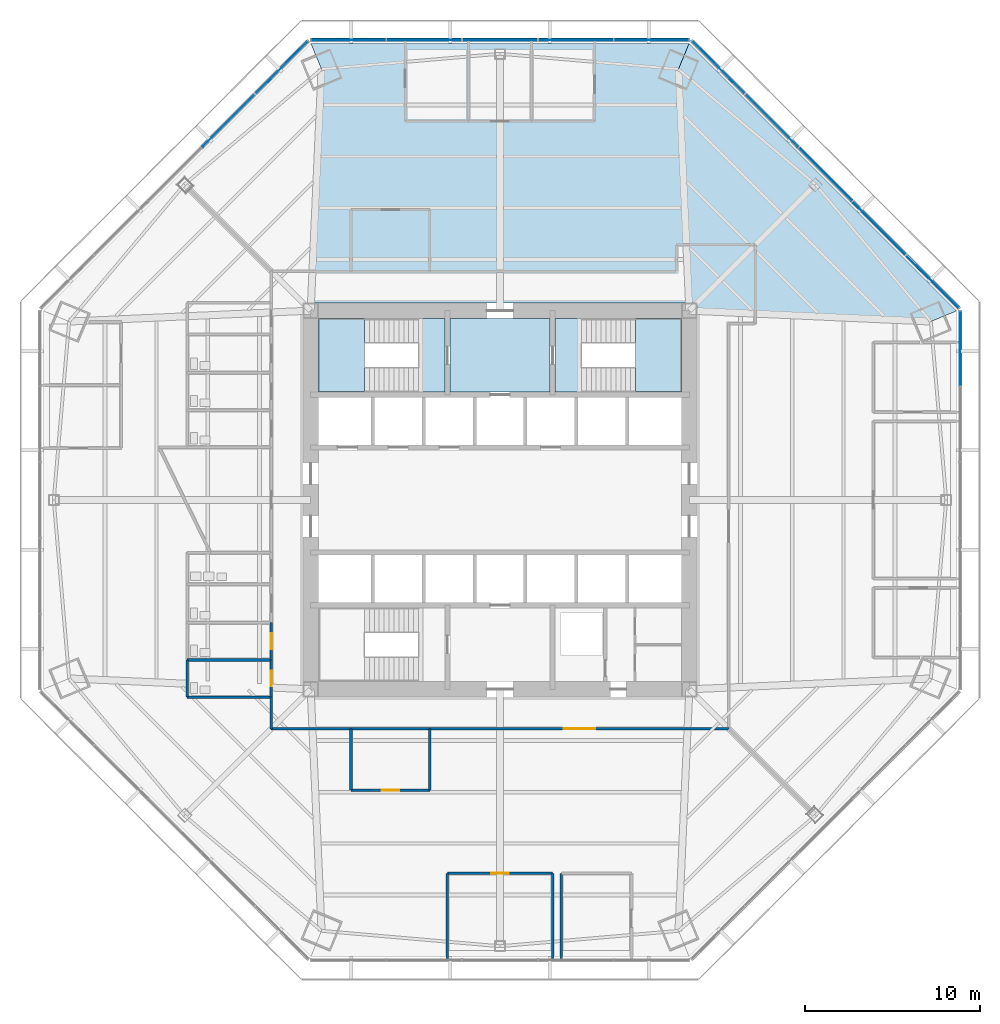
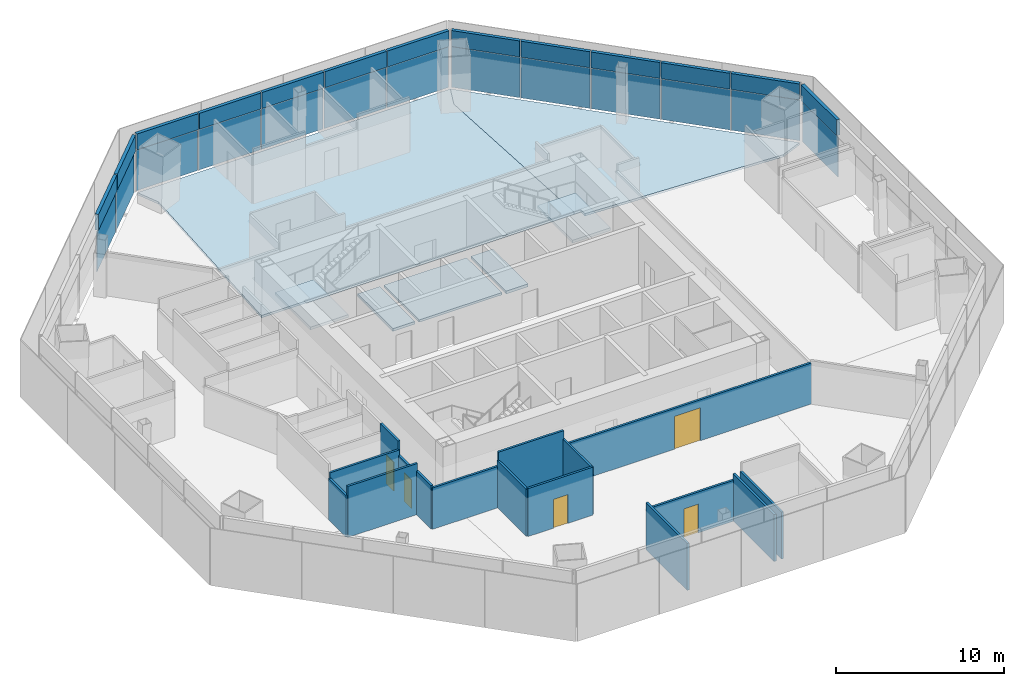
# One storey, part 8 of 15: 26 plates, 16 walls, 7 slabs, 5 doors, 5 openings, 6 elements without a shape of their own.
"""IFC4 building model written with IfcOpenShell, lengths in metres."""

from ifc_helpers import new_model, si_unit, direction, frame, frame_2d, origin, origin_2d, place, context, subcontext, project, spatial, polyline, rectangle, outline, extrude, source, transform, mapped, material, layer, layer_set, type_object, type_shapes, element, fill, aggregate, save


model = new_model("IFC4")

# Units and contexts
model_context = context("Model", 3, precision=1e-05, world=origin(), true_north=direction((0.0, 1.0)))
body_context = subcontext(model_context, "Body", "Model", "MODEL_VIEW")
ifc_project = project(units=[si_unit("LENGTHUNIT", "METRE"), si_unit("AREAUNIT", "SQUARE_METRE"), si_unit("VOLUMEUNIT", "CUBIC_METRE"), si_unit("PLANEANGLEUNIT", "RADIAN"), si_unit("MASSUNIT", "GRAM", prefix="KILO")], contexts=[model_context])

# Site, building, storey
site_placement = place(None, origin())
site = spatial("IfcSite", under=ifc_project, at=site_placement, CompositionType="ELEMENT")
building_placement = place(site_placement, origin())
building = spatial("IfcBuilding", under=site, at=building_placement, Name="Mashrafa Tower", CompositionType="ELEMENT")
storey_placement = place(building_placement, frame((0.0, 0.0, 62.39990234375)))
storey = spatial("IfcBuildingStorey", under=building, at=storey_placement, Name="L13", CompositionType="ELEMENT", Elevation=62.39990234375)

# Slabs
ifc_material_1 = material(Name="Concrete C35/45", Category="concrete")
ifc_layer_1 = layer(ifc_material_1, 0.1650390625)
ifc_layer_set_1 = layer_set([ifc_layer_1], Name="Floor slab 165")
slab_type_1 = type_object("IfcSlabType", Name="Floor slab 165", PredefinedType="FLOOR", material=ifc_layer_set_1)
slab_1_placement = place(storey_placement, frame((0.0, 0.0, -0.164794921875)))
element("IfcSlab", 1, at=slab_1_placement, inside=storey, type_object=slab_type_1, Name="Floor slab L13 north-east bay", PredefinedType="FLOOR", context=body_context, shape_type="SweptSolid", body=[
    extrude(outline(polyline([(10.7900390625, 26.049560546875), (26.049560546875, 10.7900390625), (26.049560546875, 10.7900390625), (24.575927734375, 10.1796875), (11.25, 10.77978515625), (11.25, 11.25), (10.77978515625, 11.25), (10.1796875, 24.575927734375), (10.7900390625, 26.049560546875), (10.7900390625, 26.049560546875)])), origin(), (0.0, 0.0, 1.0), 0.164794921875),
])
slab_2_placement = place(storey_placement, frame((0.0, 0.0, -0.164794921875)))
element("IfcSlab", 2, at=slab_2_placement, inside=storey, type_object=slab_type_1, Name="Floor slab L13 north bay", PredefinedType="FLOOR", context=body_context, shape_type="SweptSolid", body=[
    extrude(outline(polyline([(10.7900390625, 26.049560546875), (10.1796875, 24.575927734375), (10.77978515625, 11.25), (-10.77978515625, 11.25), (-10.1796875, 24.575927734375), (-10.7900390625, 26.049560546875), (10.7900390625, 26.049560546875)])), origin(), (0.0, 0.0, 1.0), 0.164794921875),
])
slab_3_placement = place(storey_placement, frame((0.0, 0.0, -0.164794921875)))
element("IfcSlab", 3, at=slab_3_placement, inside=storey, type_object=slab_type_1, Name="Core floor fire-fighting lobby north L13", PredefinedType="FLOOR", context=body_context, shape_type="SweptSolid", body=[
    extrude(outline(polyline([(-2.85009765625, 10.35009765625), (2.85009765625, 10.35009765625), (2.85009765625, 6.14990234375), (-2.85009765625, 6.14990234375), (-2.85009765625, 10.35009765625)])), origin(), (0.0, 0.0, 1.0), 0.164794921875),
])

# Stair, slabs
ifc_material_2 = material(Name="Exit stair 1400")
stair_type = type_object("IfcStairType", Name="Exit stair 1400", PredefinedType="HALF_TURN_STAIR", material=ifc_material_2)
stair_1_placement = place(storey_placement, origin())
stair_1 = element("IfcStair", 4, at=stair_1_placement, inside=storey, type_object=stair_type, Name="Stair S1 L13", PredefinedType="HALF_TURN_STAIR")
ifc_material_3 = material(Name="Concrete C32/40", Category="concrete")
ifc_layer_2 = layer(ifc_material_3, 0.199951171875)
ifc_layer_set_2 = layer_set([ifc_layer_2], Name="Stair landing 200")
slab_type_2 = type_object("IfcSlabType", Name="Stair landing 200", PredefinedType="LANDING", material=ifc_layer_set_2)
slab_4_placement = place(storey_placement, frame((0.0, 0.0, -0.199951171875)))
slab_4 = element("IfcSlab", 5, at=slab_4_placement, type_object=slab_type_2, Name="S1 landing 1", PredefinedType="LANDING", context=body_context, shape_type="SweptSolid", body=[
    extrude(outline(polyline([(-4.659912109375, 6.14990234375), (-3.14990234375, 6.14990234375), (-3.14990234375, 10.35009765625), (-4.659912109375, 10.35009765625), (-4.659912109375, 6.14990234375)])), origin(), (0.0, 0.0, 1.0), 0.199951171875),
])
slab_5_placement = place(storey_placement, frame((0.0, 0.0, 1.900146484375)))
slab_5 = element("IfcSlab", 6, at=slab_5_placement, type_object=slab_type_2, Name="S1 landing 2", PredefinedType="LANDING", context=body_context, shape_type="SweptSolid", body=[
    extrude(outline(polyline([(-10.35009765625, 6.14990234375), (-7.719970703125, 6.14990234375), (-7.719970703125, 10.35009765625), (-10.35009765625, 10.35009765625), (-10.35009765625, 6.14990234375)])), origin(), (0.0, 0.0, 1.0), 0.199951171875),
])
aggregate(stair_1, [slab_4, slab_5])

stair_2_placement = place(storey_placement, origin())
stair_2 = element("IfcStair", 7, at=stair_2_placement, inside=storey, type_object=stair_type, Name="Stair S2 L13", PredefinedType="HALF_TURN_STAIR")
slab_6_placement = place(storey_placement, frame((0.0, 0.0, -0.199951171875)))
slab_6 = element("IfcSlab", 8, at=slab_6_placement, type_object=slab_type_2, Name="S2 landing 1", PredefinedType="LANDING", context=body_context, shape_type="SweptSolid", body=[
    extrude(outline(polyline([(3.14990234375, 6.14990234375), (4.659912109375, 6.14990234375), (4.659912109375, 10.35009765625), (3.14990234375, 10.35009765625), (3.14990234375, 6.14990234375)])), origin(), (0.0, 0.0, 1.0), 0.199951171875),
])
slab_7_placement = place(storey_placement, frame((0.0, 0.0, 1.900146484375)))
slab_7 = element("IfcSlab", 9, at=slab_7_placement, type_object=slab_type_2, Name="S2 landing 2", PredefinedType="LANDING", context=body_context, shape_type="SweptSolid", body=[
    extrude(outline(polyline([(7.719970703125, 6.14990234375), (10.35009765625, 6.14990234375), (10.35009765625, 10.35009765625), (7.719970703125, 10.35009765625), (7.719970703125, 6.14990234375)])), origin(), (0.0, 0.0, 1.0), 0.199951171875),
])
aggregate(stair_2, [slab_6, slab_7])

# Curtain wall, plate
ifc_material_4 = material(Name="Unitised aluminium curtain wall", Category="aluminium")
curtain_wall_type = type_object("IfcCurtainWallType", Name="Office curtain wall, zone 1 CW-A 200 deep", PredefinedType="NOTDEFINED", material=ifc_material_4)
curtain_wall_1_placement = place(storey_placement, origin())
curtain_wall_1 = element("IfcCurtainWall", 10, at=curtain_wall_1_placement, inside=storey, type_object=curtain_wall_type, Name="Office curtain wall, zone 1 L13 east", PredefinedType="NOTDEFINED")
ifc_material_5 = material(Name="Insulated double glazing, low-e, neutral", Category="glass")
ifc_layer_3 = layer(ifc_material_5, 0.028076171875)
ifc_layer_set_3 = layer_set([ifc_layer_3], Name="Vision panel CW-A 28")
plate_type_1 = type_object("IfcPlateType", Name="Vision panel CW-A 28", PredefinedType="CURTAIN_PANEL", material=ifc_layer_set_3)
shared_shape_1 = source(origin(), body_context, "Body", "SweptSolid", [
    extrude(rectangle(XDim=4.231201171875, YDim=0.028076171875, at=origin_2d()), origin(), (0.0, 0.0, 1.0), 2.9599609375),
])
plate_1_placement = place(storey_placement, frame((26.24951171875, 8.640869140625, 0.0), z_axis=(0.0, 0.0, 1.0), x_axis=(0.0, 1.0, 0.0)))
plate_1 = element("IfcPlate", 11, at=plate_1_placement, type_object=plate_type_1, Name="CW-A vision panel 5", PredefinedType="CURTAIN_PANEL", context=body_context, shape_type="MappedRepresentation", body=[
    mapped(shared_shape_1, transform((0.0, 0.0, 0.0))),
])

# Curtain wall, plates
curtain_wall_2_placement = place(storey_placement, origin())
curtain_wall_2 = element("IfcCurtainWall", 12, at=curtain_wall_2_placement, inside=storey, type_object=curtain_wall_type, Name="Office curtain wall, zone 1 L13 north-east", PredefinedType="NOTDEFINED")
plate_2_placement = place(storey_placement, frame((24.67138671875, 12.451171875, 0.0), z_axis=(0.0, 0.0, 1.0), x_axis=(-0.707106781187, 0.707106781187, 0.0)))
plate_2 = element("IfcPlate", 13, at=plate_2_placement, type_object=plate_type_1, Name="CW-A vision panel 1", PredefinedType="CURTAIN_PANEL", context=body_context, shape_type="MappedRepresentation", body=[
    mapped(shared_shape_1, transform((0.0, 0.0, 0.0))),
])
plate_3_placement = place(storey_placement, frame((12.451171875, 24.67138671875, 0.0), z_axis=(0.0, 0.0, 1.0), x_axis=(-0.707106781187, 0.707106781187, 0.0)))
plate_3 = element("IfcPlate", 14, at=plate_3_placement, type_object=plate_type_1, Name="CW-A vision panel 5", PredefinedType="CURTAIN_PANEL", context=body_context, shape_type="MappedRepresentation", body=[
    mapped(shared_shape_1, transform((0.0, 0.0, 0.0))),
])

curtain_wall_3_placement = place(storey_placement, origin())
curtain_wall_3 = element("IfcCurtainWall", 15, at=curtain_wall_3_placement, inside=storey, type_object=curtain_wall_type, Name="Office curtain wall, zone 1 L13 north", PredefinedType="NOTDEFINED")
plate_4_placement = place(storey_placement, frame((8.640869140625, 26.24951171875, 0.0), z_axis=(0.0, 0.0, 1.0), x_axis=(-1.0, 0.0, 0.0)))
plate_4 = element("IfcPlate", 16, at=plate_4_placement, type_object=plate_type_1, Name="CW-A vision panel 1", PredefinedType="CURTAIN_PANEL", context=body_context, shape_type="MappedRepresentation", body=[
    mapped(shared_shape_1, transform((0.0, 0.0, 0.0))),
])
plate_5_placement = place(storey_placement, frame((-8.640869140625, 26.24951171875, 0.0), z_axis=(0.0, 0.0, 1.0), x_axis=(-1.0, 0.0, 0.0)))
plate_5 = element("IfcPlate", 17, at=plate_5_placement, type_object=plate_type_1, Name="CW-A vision panel 5", PredefinedType="CURTAIN_PANEL", context=body_context, shape_type="MappedRepresentation", body=[
    mapped(shared_shape_1, transform((0.0, 0.0, 0.0))),
])

# Curtain wall, plate
curtain_wall_4_placement = place(storey_placement, origin())
curtain_wall_4 = element("IfcCurtainWall", 18, at=curtain_wall_4_placement, inside=storey, type_object=curtain_wall_type, Name="Office curtain wall, zone 1 L13 north-west", PredefinedType="NOTDEFINED")
plate_6_placement = place(storey_placement, frame((-12.451171875, 24.67138671875, 0.0), z_axis=(0.0, 0.0, 1.0), x_axis=(-0.707106781187, -0.707106781187, 0.0)))
plate_6 = element("IfcPlate", 19, at=plate_6_placement, type_object=plate_type_1, Name="CW-A vision panel 1", PredefinedType="CURTAIN_PANEL", context=body_context, shape_type="MappedRepresentation", body=[
    mapped(shared_shape_1, transform((0.0, 0.0, 0.0))),
])

# Plate
ifc_material_6 = material(Name="Insulated aluminium spandrel panel", Category="aluminium")
ifc_layer_4 = layer(ifc_material_6, 0.219970703125)
ifc_layer_set_4 = layer_set([ifc_layer_4], Name="Spandrel panel CW-A 220")
plate_type_2 = type_object("IfcPlateType", Name="Spandrel panel CW-A 220", PredefinedType="CURTAIN_PANEL", material=ifc_layer_set_4)
shared_shape_2 = source(origin(), body_context, "Body", "SweptSolid", [
    extrude(rectangle(XDim=4.231201171875, YDim=0.219970703125, at=origin_2d()), origin(), (0.0, 0.0, 1.0), 1.159912109375),
])
plate_7_placement = place(storey_placement, frame((26.24951171875, 8.640869140625, 3.0400390625), z_axis=(0.0, 0.0, 1.0), x_axis=(0.0, 1.0, 0.0)))
plate_7 = element("IfcPlate", 20, at=plate_7_placement, type_object=plate_type_2, Name="CW-A spandrel panel 5", PredefinedType="CURTAIN_PANEL", context=body_context, shape_type="MappedRepresentation", body=[
    mapped(shared_shape_2, transform((0.0, 0.0, 0.0))),
])

aggregate(curtain_wall_1, [plate_1, plate_7])

plate_8_placement = place(storey_placement, frame((24.67138671875, 12.451171875, 3.0400390625), z_axis=(0.0, 0.0, 1.0), x_axis=(-0.707106781187, 0.707106781187, 0.0)))
plate_8 = element("IfcPlate", 21, at=plate_8_placement, type_object=plate_type_2, Name="CW-A spandrel panel 1", PredefinedType="CURTAIN_PANEL", context=body_context, shape_type="MappedRepresentation", body=[
    mapped(shared_shape_2, transform((0.0, 0.0, 0.0))),
])

plate_9_placement = place(storey_placement, frame((12.451171875, 24.67138671875, 3.0400390625), z_axis=(0.0, 0.0, 1.0), x_axis=(-0.707106781187, 0.707106781187, 0.0)))
plate_9 = element("IfcPlate", 22, at=plate_9_placement, type_object=plate_type_2, Name="CW-A spandrel panel 5", PredefinedType="CURTAIN_PANEL", context=body_context, shape_type="MappedRepresentation", body=[
    mapped(shared_shape_2, transform((0.0, 0.0, 0.0))),
])

plate_10_placement = place(storey_placement, frame((8.640869140625, 26.24951171875, 3.0400390625), z_axis=(0.0, 0.0, 1.0), x_axis=(-1.0, 0.0, 0.0)))
plate_10 = element("IfcPlate", 23, at=plate_10_placement, type_object=plate_type_2, Name="CW-A spandrel panel 1", PredefinedType="CURTAIN_PANEL", context=body_context, shape_type="MappedRepresentation", body=[
    mapped(shared_shape_2, transform((0.0, 0.0, 0.0))),
])

plate_11_placement = place(storey_placement, frame((-8.640869140625, 26.24951171875, 3.0400390625), z_axis=(0.0, 0.0, 1.0), x_axis=(-1.0, 0.0, 0.0)))
plate_11 = element("IfcPlate", 24, at=plate_11_placement, type_object=plate_type_2, Name="CW-A spandrel panel 5", PredefinedType="CURTAIN_PANEL", context=body_context, shape_type="MappedRepresentation", body=[
    mapped(shared_shape_2, transform((0.0, 0.0, 0.0))),
])

plate_12_placement = place(storey_placement, frame((-12.451171875, 24.67138671875, 3.0400390625), z_axis=(0.0, 0.0, 1.0), x_axis=(-0.707106781187, -0.707106781187, 0.0)))
plate_12 = element("IfcPlate", 25, at=plate_12_placement, type_object=plate_type_2, Name="CW-A spandrel panel 1", PredefinedType="CURTAIN_PANEL", context=body_context, shape_type="MappedRepresentation", body=[
    mapped(shared_shape_2, transform((0.0, 0.0, 0.0))),
])

shared_shape_3 = source(origin(), body_context, "Body", "SweptSolid", [
    extrude(rectangle(XDim=4.263671875, YDim=0.028076171875, at=origin_2d()), origin(), (0.0, 0.0, 1.0), 2.9599609375),
])
type_shapes(plate_type_1, [shared_shape_1, shared_shape_3])
plate_13_placement = place(storey_placement, frame((21.6220703125, 15.50048828125, 0.0), z_axis=(0.0, 0.0, 1.0), x_axis=(-0.707106781187, 0.707106781187, 0.0)))
plate_13 = element("IfcPlate", 26, at=plate_13_placement, type_object=plate_type_1, Name="CW-A vision panel 2", PredefinedType="CURTAIN_PANEL", context=body_context, shape_type="MappedRepresentation", body=[
    mapped(shared_shape_3, transform((0.0, 0.0, 0.0))),
])

plate_14_placement = place(storey_placement, frame((18.561279296875, 18.561279296875, 0.0), z_axis=(0.0, 0.0, 1.0), x_axis=(-0.707106781187, 0.707106781187, 0.0)))
plate_14 = element("IfcPlate", 27, at=plate_14_placement, type_object=plate_type_1, Name="CW-A vision panel 3", PredefinedType="CURTAIN_PANEL", context=body_context, shape_type="MappedRepresentation", body=[
    mapped(shared_shape_3, transform((0.0, 0.0, 0.0))),
])

plate_15_placement = place(storey_placement, frame((15.50048828125, 21.6220703125, 0.0), z_axis=(0.0, 0.0, 1.0), x_axis=(-0.707106781187, 0.707106781187, 0.0)))
plate_15 = element("IfcPlate", 28, at=plate_15_placement, type_object=plate_type_1, Name="CW-A vision panel 4", PredefinedType="CURTAIN_PANEL", context=body_context, shape_type="MappedRepresentation", body=[
    mapped(shared_shape_3, transform((0.0, 0.0, 0.0))),
])

plate_16_placement = place(storey_placement, frame((4.32861328125, 26.24951171875, 0.0), z_axis=(0.0, 0.0, 1.0), x_axis=(-1.0, 0.0, 0.0)))
plate_16 = element("IfcPlate", 29, at=plate_16_placement, type_object=plate_type_1, Name="CW-A vision panel 2", PredefinedType="CURTAIN_PANEL", context=body_context, shape_type="MappedRepresentation", body=[
    mapped(shared_shape_3, transform((0.0, 0.0, 0.0))),
])

plate_17_placement = place(storey_placement, frame((0.0, 26.24951171875, 0.0), z_axis=(0.0, 0.0, 1.0), x_axis=(-1.0, 0.0, 0.0)))
plate_17 = element("IfcPlate", 30, at=plate_17_placement, type_object=plate_type_1, Name="CW-A vision panel 3", PredefinedType="CURTAIN_PANEL", context=body_context, shape_type="MappedRepresentation", body=[
    mapped(shared_shape_3, transform((0.0, 0.0, 0.0))),
])

plate_18_placement = place(storey_placement, frame((-4.32861328125, 26.24951171875, 0.0), z_axis=(0.0, 0.0, 1.0), x_axis=(-1.0, 0.0, 0.0)))
plate_18 = element("IfcPlate", 31, at=plate_18_placement, type_object=plate_type_1, Name="CW-A vision panel 4", PredefinedType="CURTAIN_PANEL", context=body_context, shape_type="MappedRepresentation", body=[
    mapped(shared_shape_3, transform((0.0, 0.0, 0.0))),
])

plate_19_placement = place(storey_placement, frame((-15.50048828125, 21.6220703125, 0.0), z_axis=(0.0, 0.0, 1.0), x_axis=(-0.707106781187, -0.707106781187, 0.0)))
plate_19 = element("IfcPlate", 32, at=plate_19_placement, type_object=plate_type_1, Name="CW-A vision panel 2", PredefinedType="CURTAIN_PANEL", context=body_context, shape_type="MappedRepresentation", body=[
    mapped(shared_shape_3, transform((0.0, 0.0, 0.0))),
])

shared_shape_4 = source(origin(), body_context, "Body", "SweptSolid", [
    extrude(rectangle(XDim=4.263671875, YDim=0.219970703125, at=origin_2d()), origin(), (0.0, 0.0, 1.0), 1.159912109375),
])
type_shapes(plate_type_2, [shared_shape_2, shared_shape_4])
plate_20_placement = place(storey_placement, frame((21.6220703125, 15.50048828125, 3.0400390625), z_axis=(0.0, 0.0, 1.0), x_axis=(-0.707106781187, 0.707106781187, 0.0)))
plate_20 = element("IfcPlate", 33, at=plate_20_placement, type_object=plate_type_2, Name="CW-A spandrel panel 2", PredefinedType="CURTAIN_PANEL", context=body_context, shape_type="MappedRepresentation", body=[
    mapped(shared_shape_4, transform((0.0, 0.0, 0.0))),
])

plate_21_placement = place(storey_placement, frame((18.561279296875, 18.561279296875, 3.0400390625), z_axis=(0.0, 0.0, 1.0), x_axis=(-0.707106781187, 0.707106781187, 0.0)))
plate_21 = element("IfcPlate", 34, at=plate_21_placement, type_object=plate_type_2, Name="CW-A spandrel panel 3", PredefinedType="CURTAIN_PANEL", context=body_context, shape_type="MappedRepresentation", body=[
    mapped(shared_shape_4, transform((0.0, 0.0, 0.0))),
])

plate_22_placement = place(storey_placement, frame((15.50048828125, 21.6220703125, 3.0400390625), z_axis=(0.0, 0.0, 1.0), x_axis=(-0.707106781187, 0.707106781187, 0.0)))
plate_22 = element("IfcPlate", 35, at=plate_22_placement, type_object=plate_type_2, Name="CW-A spandrel panel 4", PredefinedType="CURTAIN_PANEL", context=body_context, shape_type="MappedRepresentation", body=[
    mapped(shared_shape_4, transform((0.0, 0.0, 0.0))),
])

aggregate(curtain_wall_2, [plate_2, plate_8, plate_13, plate_20, plate_14, plate_21, plate_15, plate_22, plate_3, plate_9])

plate_23_placement = place(storey_placement, frame((4.32861328125, 26.24951171875, 3.0400390625), z_axis=(0.0, 0.0, 1.0), x_axis=(-1.0, 0.0, 0.0)))
plate_23 = element("IfcPlate", 36, at=plate_23_placement, type_object=plate_type_2, Name="CW-A spandrel panel 2", PredefinedType="CURTAIN_PANEL", context=body_context, shape_type="MappedRepresentation", body=[
    mapped(shared_shape_4, transform((0.0, 0.0, 0.0))),
])

plate_24_placement = place(storey_placement, frame((0.0, 26.24951171875, 3.0400390625), z_axis=(0.0, 0.0, 1.0), x_axis=(-1.0, 0.0, 0.0)))
plate_24 = element("IfcPlate", 37, at=plate_24_placement, type_object=plate_type_2, Name="CW-A spandrel panel 3", PredefinedType="CURTAIN_PANEL", context=body_context, shape_type="MappedRepresentation", body=[
    mapped(shared_shape_4, transform((0.0, 0.0, 0.0))),
])

plate_25_placement = place(storey_placement, frame((-4.32861328125, 26.24951171875, 3.0400390625), z_axis=(0.0, 0.0, 1.0), x_axis=(-1.0, 0.0, 0.0)))
plate_25 = element("IfcPlate", 38, at=plate_25_placement, type_object=plate_type_2, Name="CW-A spandrel panel 4", PredefinedType="CURTAIN_PANEL", context=body_context, shape_type="MappedRepresentation", body=[
    mapped(shared_shape_4, transform((0.0, 0.0, 0.0))),
])

aggregate(curtain_wall_3, [plate_4, plate_10, plate_16, plate_23, plate_17, plate_24, plate_18, plate_25, plate_5, plate_11])

plate_26_placement = place(storey_placement, frame((-15.50048828125, 21.6220703125, 3.0400390625), z_axis=(0.0, 0.0, 1.0), x_axis=(-0.707106781187, -0.707106781187, 0.0)))
plate_26 = element("IfcPlate", 39, at=plate_26_placement, type_object=plate_type_2, Name="CW-A spandrel panel 2", PredefinedType="CURTAIN_PANEL", context=body_context, shape_type="MappedRepresentation", body=[
    mapped(shared_shape_4, transform((0.0, 0.0, 0.0))),
])

aggregate(curtain_wall_4, [plate_6, plate_12, plate_19, plate_26])

# Wall, opening, door
ifc_material_7 = material(Name="Gypsum board on steel studs", Category="steel")
ifc_layer_5 = layer(ifc_material_7, 0.14990234375)
ifc_layer_set_5 = layer_set([ifc_layer_5], Name="Corridor partition 150 1 hr")
wall_type_1 = type_object("IfcWallType", Name="Corridor partition 150 1 hr", PredefinedType="PARTITIONING", material=ifc_layer_set_5)
wall_1_placement = place(storey_placement, frame((-13.050048828125, -9.1240234375, 0.0), z_axis=(0.0, 0.0, 1.0), x_axis=(0.0, -1.0, 0.0)))
wall_1 = element("IfcWall", 40, at=wall_1_placement, inside=storey, type_object=wall_type_1, Name="Corridor wall L13-005", PredefinedType="PARTITIONING", context=body_context, shape_type="SweptSolid", body=[
    extrude(rectangle(XDim=2.126953125, YDim=0.14990234375, at=frame_2d((1.0634765625, 0.0))), origin(), (0.0, 0.0, 1.0), 3.01416015625),
])
opening_1_placement = place(wall_1_placement, frame((0.613525390625, 0.0, 0.0)))
opening_1 = element("IfcOpeningElement", 41, at=opening_1_placement, cuts=wall_1, Name="Opening 13.005", PredefinedType="OPENING", context=body_context, shape_type="SweptSolid", body=[
    extrude(rectangle(XDim=0.89990234375, YDim=2.10009765625, at=frame_2d((0.449951171875, 1.050048828125))), frame((0.0, 0.0849609375, 0.0), z_axis=(0.0, -1.0, 0.0), x_axis=(1.0, 0.0, 0.0)), (0.0, 0.0, 1.0), 0.169921875),
])
ifc_material_8 = material(Name="Timber door", Category="wood")
door_type_1 = type_object("IfcDoorType", Name="Toilet door 900 x 2100", OperationType="USERDEFINED", PredefinedType="DOOR", material=ifc_material_8)
door_1_placement = place(opening_1_placement, frame((0.89990234375, 0.0, 0.0), z_axis=(0.0, 0.0, 1.0), x_axis=(-1.0, 0.0, 0.0)))
door_1 = element("IfcDoor", 42, at=door_1_placement, inside=storey, type_object=door_type_1, Name="WC Female L13 S door", OperationType="SINGLE_SWING_RIGHT", OverallHeight=2.10009765625, OverallWidth=0.89990234375, PredefinedType="DOOR", context=body_context, shape_type="SweptSolid", body=[
    extrude(rectangle(XDim=0.89990234375, YDim=2.10009765625, at=frame_2d((0.449951171875, 1.050048828125))), frame((0.0, 0.02490234375, 0.0), z_axis=(0.0, -1.0, 0.0), x_axis=(1.0, 0.0, 0.0)), (0.0, 0.0, 1.0), 0.050048828125),
])
fill(opening_1, door_1)

wall_2_placement = place(storey_placement, frame((-13.050048828125, -6.9990234375, 0.0), z_axis=(0.0, 0.0, 1.0), x_axis=(0.0, -1.0, 0.0)))
wall_2 = element("IfcWall", 43, at=wall_2_placement, inside=storey, type_object=wall_type_1, Name="Corridor wall L13-006", PredefinedType="PARTITIONING", context=body_context, shape_type="SweptSolid", body=[
    extrude(rectangle(XDim=2.126953125, YDim=0.14990234375, at=frame_2d((1.0634765625, 0.0))), origin(), (0.0, 0.0, 1.0), 4.03515625),
])
opening_2_placement = place(wall_2_placement, frame((0.613525390625, 0.0, 0.0)))
opening_2 = element("IfcOpeningElement", 44, at=opening_2_placement, cuts=wall_2, Name="Opening 13.006", PredefinedType="OPENING", context=body_context, shape_type="SweptSolid", body=[
    extrude(rectangle(XDim=0.89990234375, YDim=2.10009765625, at=frame_2d((0.449951171875, 1.050048828125))), frame((0.0, 0.0849609375, 0.0), z_axis=(0.0, -1.0, 0.0), x_axis=(1.0, 0.0, 0.0)), (0.0, 0.0, 1.0), 0.169921875),
])
door_2_placement = place(opening_2_placement, frame((0.89990234375, 0.0, 0.0), z_axis=(0.0, 0.0, 1.0), x_axis=(-1.0, 0.0, 0.0)))
door_2 = element("IfcDoor", 45, at=door_2_placement, inside=storey, type_object=door_type_1, Name="WC Male L13 S door", OperationType="SINGLE_SWING_RIGHT", OverallHeight=2.10009765625, OverallWidth=0.89990234375, PredefinedType="DOOR", context=body_context, shape_type="SweptSolid", body=[
    extrude(rectangle(XDim=0.89990234375, YDim=2.10009765625, at=frame_2d((0.449951171875, 1.050048828125))), frame((0.0, 0.02490234375, 0.0), z_axis=(0.0, -1.0, 0.0), x_axis=(1.0, 0.0, 0.0)), (0.0, 0.0, 1.0), 0.050048828125),
])
fill(opening_2, door_2)

# Walls
wall_3_placement = place(storey_placement, frame((-8.5009765625, -13.050048828125, 0.0), z_axis=(0.0, 0.0, 1.0), x_axis=(1.0, 0.0, 0.0)))
element("IfcWall", 46, at=wall_3_placement, inside=storey, type_object=wall_type_1, Name="Corridor wall L13-011", PredefinedType="PARTITIONING", context=body_context, shape_type="SweptSolid", body=[
    extrude(rectangle(XDim=4.501953125, YDim=0.14990234375, at=frame_2d((2.2509765625, 0.0))), origin(), (0.0, 0.0, 1.0), 4.03515625),
])
wall_4_placement = place(storey_placement, frame((-13.050048828125, -11.2490234375, 0.0), z_axis=(0.0, 0.0, 1.0), x_axis=(0.0, -1.0, 0.0)))
element("IfcWall", 47, at=wall_4_placement, inside=storey, type_object=wall_type_1, Name="Corridor wall L13-019", PredefinedType="PARTITIONING", context=body_context, shape_type="SweptSolid", body=[
    extrude(rectangle(XDim=1.801025390625, YDim=0.14990234375, at=frame_2d((0.900390625, 0.0))), origin(), (0.0, 0.0, 1.0), 3.16650390625),
])
wall_5_placement = place(storey_placement, frame((-13.050048828125, -13.050048828125, 0.0), z_axis=(0.0, 0.0, 1.0), x_axis=(1.0, 0.0, 0.0)))
element("IfcWall", 48, at=wall_5_placement, inside=storey, type_object=wall_type_1, Name="Corridor wall L13-020", PredefinedType="PARTITIONING", context=body_context, shape_type="SweptSolid", body=[
    extrude(rectangle(XDim=4.551025390625, YDim=0.14990234375, at=frame_2d((2.275390625, 0.0))), origin(), (0.0, 0.0, 1.0), 3.01416015625),
])

# Wall, opening, door
wall_6_placement = place(storey_placement, frame((-4.0009765625, -13.050048828125, 0.0), z_axis=(0.0, 0.0, 1.0), x_axis=(1.0, 0.0, 0.0)))
wall_6 = element("IfcWall", 49, at=wall_6_placement, inside=storey, type_object=wall_type_1, Name="Corridor wall L13-022", PredefinedType="PARTITIONING", context=body_context, shape_type="SweptSolid", body=[
    extrude(rectangle(XDim=17.051025390625, YDim=0.14990234375, at=frame_2d((8.525390625, 0.0))), origin(), (0.0, 0.0, 1.0), 2.983642578125),
])
opening_3_placement = place(wall_6_placement, frame((7.62548828125, 0.0, 0.0)))
opening_3 = element("IfcOpeningElement", 50, at=opening_3_placement, cuts=wall_6, Name="Opening 13.023", PredefinedType="OPENING", context=body_context, shape_type="SweptSolid", body=[
    extrude(rectangle(XDim=1.800048828125, YDim=2.39990234375, at=frame_2d((0.89990234375, 1.199951171875))), frame((0.0, 0.0849609375, 0.0), z_axis=(0.0, -1.0, 0.0), x_axis=(1.0, 0.0, 0.0)), (0.0, 0.0, 1.0), 0.169921875),
])
ifc_material_9 = material(Name="Timber door", Category="wood")
door_type_2 = type_object("IfcDoorType", Name="Door pair 1800 x 2400", OperationType="DOUBLE_DOOR_SINGLE_SWING", PredefinedType="DOOR", material=ifc_material_9)
door_3_placement = place(opening_3_placement, origin())
door_3 = element("IfcDoor", 51, at=door_3_placement, inside=storey, type_object=door_type_2, Name="Office Tenancy 13-B door", OperationType="DOUBLE_DOOR_SINGLE_SWING", OverallHeight=2.39990234375, OverallWidth=1.800048828125, PredefinedType="DOOR", context=body_context, shape_type="SweptSolid", body=[
    extrude(rectangle(XDim=1.800048828125, YDim=2.39990234375, at=frame_2d((0.89990234375, 1.199951171875))), frame((0.0, 0.02490234375, 0.0), z_axis=(0.0, -1.0, 0.0), x_axis=(1.0, 0.0, 0.0)), (0.0, 0.0, 1.0), 0.050048828125),
])
fill(opening_3, door_3)

# Walls
ifc_material_10 = material(Name="Gypsum board on steel studs", Category="steel")
ifc_layer_6 = layer(ifc_material_10, 0.14990234375)
ifc_layer_set_6 = layer_set([ifc_layer_6], Name="Partition 150")
wall_type_2 = type_object("IfcWallType", Name="Partition 150", PredefinedType="PARTITIONING", material=ifc_layer_set_6)
wall_7_placement = place(storey_placement, frame((-13.050048828125, -9.125, 0.0), z_axis=(0.0, 0.0, 1.0), x_axis=(-1.0, 0.0, 0.0)))
element("IfcWall", 52, at=wall_7_placement, inside=storey, type_object=wall_type_2, Name="Partition wall L13-032", PredefinedType="PARTITIONING", context=body_context, shape_type="SweptSolid", body=[
    extrude(rectangle(XDim=4.800048828125, YDim=0.14990234375, at=frame_2d((2.39990234375, 0.0))), origin(), (0.0, 0.0, 1.0), 3.423095703125),
])
wall_8_placement = place(storey_placement, frame((-17.85009765625, -9.125, 0.0), z_axis=(0.0, 0.0, 1.0), x_axis=(0.0, -1.0, 0.0)))
element("IfcWall", 53, at=wall_8_placement, inside=storey, type_object=wall_type_2, Name="Partition wall L13-033", PredefinedType="PARTITIONING", context=body_context, shape_type="SweptSolid", body=[
    extrude(rectangle(XDim=2.125, YDim=0.14990234375, at=frame_2d((1.0625, 0.0))), origin(), (0.0, 0.0, 1.0), 3.01416015625),
])
wall_9_placement = place(storey_placement, frame((-17.85009765625, -11.25, 0.0), z_axis=(0.0, 0.0, 1.0), x_axis=(1.0, 0.0, 0.0)))
element("IfcWall", 54, at=wall_9_placement, inside=storey, type_object=wall_type_2, Name="Partition wall L13-034", PredefinedType="PARTITIONING", context=body_context, shape_type="SweptSolid", body=[
    extrude(rectangle(XDim=4.800048828125, YDim=0.14990234375, at=frame_2d((2.39990234375, 0.0))), origin(), (0.0, 0.0, 1.0), 3.715087890625),
])
wall_10_placement = place(storey_placement, frame((3.0, -26.2314453125, 0.0), z_axis=(0.0, 0.0, 1.0), x_axis=(0.0, 1.0, 0.0)))
element("IfcWall", 55, at=wall_10_placement, inside=storey, type_object=wall_type_2, Name="Partition wall L13-050", PredefinedType="PARTITIONING", context=body_context, shape_type="SweptSolid", body=[
    extrude(rectangle(XDim=4.931884765625, YDim=0.14990234375, at=frame_2d((2.4658203125, 0.0))), origin(), (0.0, 0.0, 1.0), 3.423095703125),
])

# Wall, opening, door
wall_11_placement = place(storey_placement, frame((3.0, -21.299560546875, 0.0), z_axis=(0.0, 0.0, 1.0), x_axis=(-1.0, 0.0, 0.0)))
wall_11 = element("IfcWall", 56, at=wall_11_placement, inside=storey, type_object=wall_type_2, Name="Partition wall L13-051", PredefinedType="PARTITIONING", context=body_context, shape_type="SweptSolid", body=[
    extrude(rectangle(XDim=6.0, YDim=0.14990234375, at=frame_2d((3.0, 0.0))), origin(), (0.0, 0.0, 1.0), 2.983642578125),
])
opening_4_placement = place(wall_11_placement, frame((2.5, 0.0, 0.0)))
opening_4 = element("IfcOpeningElement", 57, at=opening_4_placement, cuts=wall_11, Name="Opening 13.012", PredefinedType="OPENING", context=body_context, shape_type="SweptSolid", body=[
    extrude(rectangle(XDim=1.0, YDim=2.10009765625, at=frame_2d((0.5, 1.050048828125))), frame((0.0, 0.0849609375, 0.0), z_axis=(0.0, -1.0, 0.0), x_axis=(1.0, 0.0, 0.0)), (0.0, 0.0, 1.0), 0.169921875),
])
ifc_material_11 = material(Name="Timber door", Category="wood")
door_type_3 = type_object("IfcDoorType", Name="Door 1000 x 2100", OperationType="USERDEFINED", PredefinedType="DOOR", material=ifc_material_11)
door_4_placement = place(opening_4_placement, origin())
door_4 = element("IfcDoor", 58, at=door_4_placement, inside=storey, type_object=door_type_3, Name="Meeting Room 13-B door", OperationType="SINGLE_SWING_LEFT", OverallHeight=2.10009765625, OverallWidth=1.0, PredefinedType="DOOR", context=body_context, shape_type="SweptSolid", body=[
    extrude(rectangle(XDim=1.0, YDim=2.10009765625, at=frame_2d((0.5, 1.050048828125))), frame((0.0, 0.02490234375, 0.0), z_axis=(0.0, -1.0, 0.0), x_axis=(1.0, 0.0, 0.0)), (0.0, 0.0, 1.0), 0.050048828125),
])
fill(opening_4, door_4)

# Walls
wall_12_placement = place(storey_placement, frame((-3.0, -21.299560546875, 0.0), z_axis=(0.0, 0.0, 1.0), x_axis=(0.0, -1.0, 0.0)))
element("IfcWall", 59, at=wall_12_placement, inside=storey, type_object=wall_type_2, Name="Partition wall L13-052", PredefinedType="PARTITIONING", context=body_context, shape_type="SweptSolid", body=[
    extrude(rectangle(XDim=4.931884765625, YDim=0.14990234375, at=frame_2d((2.4658203125, 0.0))), origin(), (0.0, 0.0, 1.0), 3.423095703125),
])
wall_13_placement = place(storey_placement, frame((-8.5, -13.050048828125, 0.0), z_axis=(0.0, 0.0, 1.0), x_axis=(0.0, -1.0, 0.0)))
element("IfcWall", 60, at=wall_13_placement, inside=storey, type_object=wall_type_2, Name="Partition wall L13-053", PredefinedType="PARTITIONING", context=body_context, shape_type="SweptSolid", body=[
    extrude(rectangle(XDim=3.5, YDim=0.14990234375, at=frame_2d((1.75, 0.0))), origin(), (0.0, 0.0, 1.0), 3.423095703125),
])

# Wall, opening, door
wall_14_placement = place(storey_placement, frame((-8.5, -16.550048828125, 0.0), z_axis=(0.0, 0.0, 1.0), x_axis=(1.0, 0.0, 0.0)))
wall_14 = element("IfcWall", 61, at=wall_14_placement, inside=storey, type_object=wall_type_2, Name="Partition wall L13-054", PredefinedType="PARTITIONING", context=body_context, shape_type="SweptSolid", body=[
    extrude(rectangle(XDim=4.5, YDim=0.14990234375, at=frame_2d((2.25, 0.0))), origin(), (0.0, 0.0, 1.0), 3.496826171875),
])
opening_5_placement = place(wall_14_placement, frame((1.75, 0.0, 0.0)))
opening_5 = element("IfcOpeningElement", 62, at=opening_5_placement, cuts=wall_14, Name="Opening 13.013", PredefinedType="OPENING", context=body_context, shape_type="SweptSolid", body=[
    extrude(rectangle(XDim=1.0, YDim=2.10009765625, at=frame_2d((0.5, 1.050048828125))), frame((0.0, 0.0849609375, 0.0), z_axis=(0.0, -1.0, 0.0), x_axis=(1.0, 0.0, 0.0)), (0.0, 0.0, 1.0), 0.169921875),
])
door_5_placement = place(opening_5_placement, origin())
door_5 = element("IfcDoor", 63, at=door_5_placement, inside=storey, type_object=door_type_3, Name="Pantry 13-B door", OperationType="SINGLE_SWING_LEFT", OverallHeight=2.10009765625, OverallWidth=1.0, PredefinedType="DOOR", context=body_context, shape_type="SweptSolid", body=[
    extrude(rectangle(XDim=1.0, YDim=2.10009765625, at=frame_2d((0.5, 1.050048828125))), frame((0.0, 0.02490234375, 0.0), z_axis=(0.0, -1.0, 0.0), x_axis=(1.0, 0.0, 0.0)), (0.0, 0.0, 1.0), 0.050048828125),
])
fill(opening_5, door_5)

# Walls
wall_15_placement = place(storey_placement, frame((-4.0, -16.550048828125, 0.0), z_axis=(0.0, 0.0, 1.0), x_axis=(0.0, 1.0, 0.0)))
element("IfcWall", 64, at=wall_15_placement, inside=storey, type_object=wall_type_2, Name="Partition wall L13-055", PredefinedType="PARTITIONING", context=body_context, shape_type="SweptSolid", body=[
    extrude(rectangle(XDim=3.5, YDim=0.14990234375, at=frame_2d((1.75, 0.0))), origin(), (0.0, 0.0, 1.0), 3.423095703125),
])
wall_16_placement = place(storey_placement, frame((3.5, -21.299560546875, 0.0), z_axis=(0.0, 0.0, 1.0), x_axis=(0.0, -1.0, 0.0)))
element("IfcWall", 65, at=wall_16_placement, inside=storey, type_object=wall_type_2, Name="Partition wall L13-078", PredefinedType="PARTITIONING", context=body_context, shape_type="SweptSolid", body=[
    extrude(rectangle(XDim=4.931884765625, YDim=0.14990234375, at=frame_2d((2.4658203125, 0.0))), origin(), (0.0, 0.0, 1.0), 3.423095703125),
])

save(model, "model.ifc")
